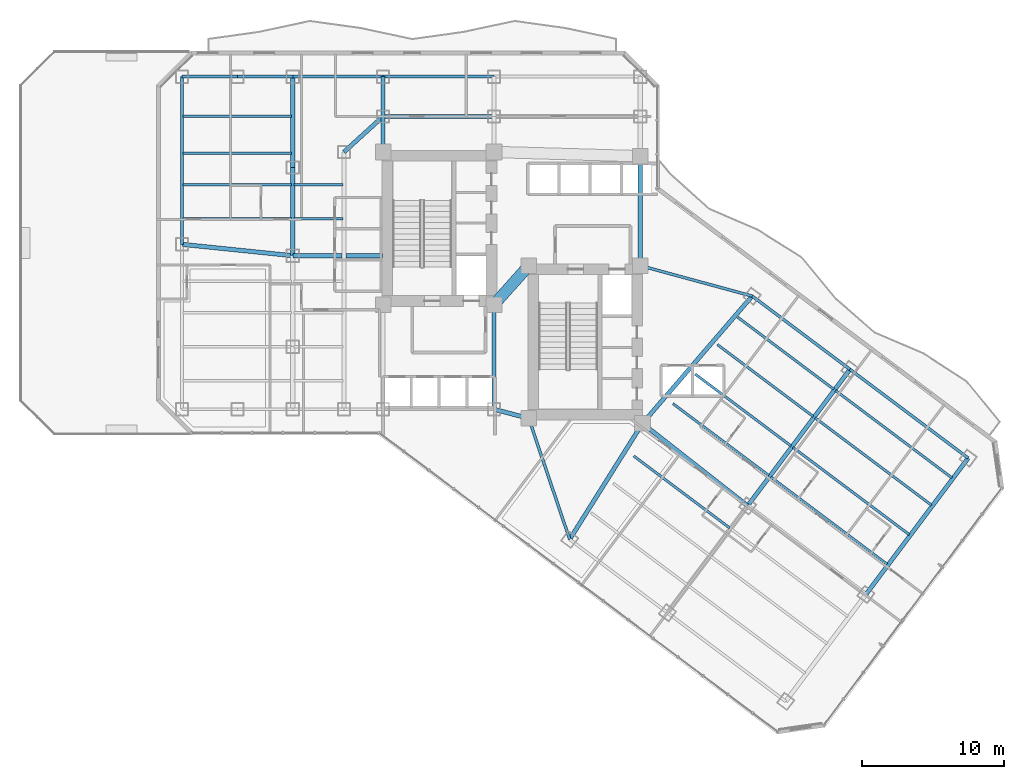
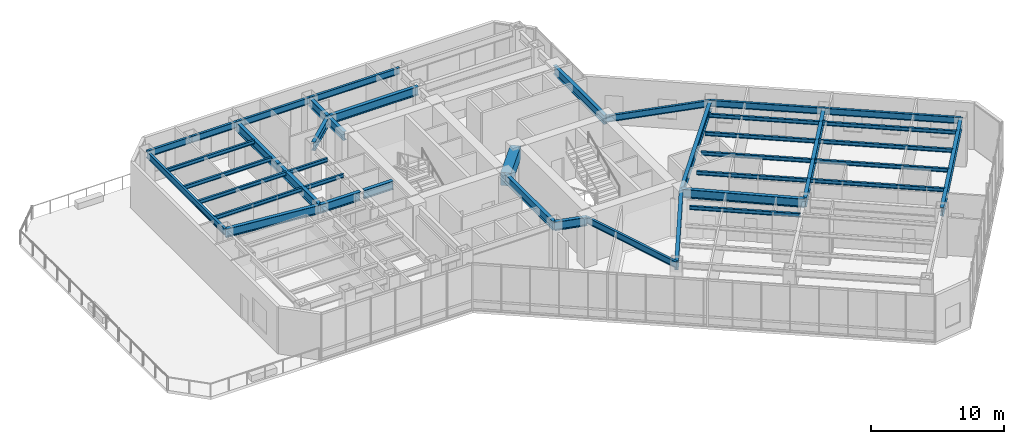
# One storey, part 11 of 27: 42 beams.
"""IFC4 building model written with IfcOpenShell, lengths in metres."""

from ifc_helpers import new_model, si_unit, direction, frame, origin, origin_2d, place, context, subcontext, project, spatial, rectangle, i_section, extrude, material, material_profile, profile_set, type_object, element, save


model = new_model("IFC4")

# Units and contexts
model_context = context("Model", 3, precision=1e-05, world=origin(), true_north=direction((0.0, 1.0)))
body_context = subcontext(model_context, "Body", "Model", "MODEL_VIEW")
ifc_project = project(units=[si_unit("LENGTHUNIT", "METRE"), si_unit("AREAUNIT", "SQUARE_METRE"), si_unit("VOLUMEUNIT", "CUBIC_METRE"), si_unit("PLANEANGLEUNIT", "RADIAN"), si_unit("MASSUNIT", "GRAM", prefix="KILO")], contexts=[model_context])

# Site, building, storey
site_placement = place(None, origin())
site = spatial("IfcSite", under=ifc_project, at=site_placement, CompositionType="ELEMENT")
building_placement = place(site_placement, origin())
building = spatial("IfcBuilding", under=site, at=building_placement, Name="Hatsunagi Terrace Concourse", CompositionType="ELEMENT")
storey_placement = place(building_placement, frame((0.0, 0.0, 70.10009765625)))
storey = spatial("IfcBuildingStorey", under=building, at=storey_placement, Name="L18", CompositionType="ELEMENT", Elevation=70.10009765625)

# Beams
ifc_material_1 = material(Name="Concrete Fc60", Category="concrete")
ifc_material_profile_1 = material_profile(ifc_material_1, rectangle(XDim=0.800048828125, YDim=1.199951171875, at=origin_2d()), Name="RC-800x1200")
ifc_profile_set_1 = profile_set([ifc_material_profile_1], Name="Concrete Fc60")
beam_type_1 = type_object("IfcBeamType", Name="CoreCouplingBeam_RC_800x1200", PredefinedType="BEAM", material=ifc_profile_set_1)
beam_1_placement = place(storey_placement, frame((33.35009765625, 32.550048828125, 3.679931640625), z_axis=(0.665198651008, 0.746666427997, 0.0), x_axis=(-0.746666427997, 0.665198651008, 0.0)))
element("IfcBeam", 1, at=beam_1_placement, inside=storey, type_object=beam_type_1, Name="Beam CB-01 CB-L18-1", PredefinedType="BEAM", context=body_context, shape_type="SweptSolid", body=[
    extrude(rectangle(XDim=0.800048828125, YDim=1.199951171875, at=origin_2d()), origin(), (0.0, 0.0, 1.0), 3.68310546875),
])
ifc_material_2 = material(Name="Steel SN490B", Category="steel")
ifc_material_profile_2 = material_profile(ifc_material_2, i_section(OverallWidth=0.175048828125, OverallDepth=0.35009765625, WebThickness=0.007080078125, FlangeThickness=0.010986328125, FilletRadius=0.012939453125, at=origin_2d()), Name="H-350x175x7x11")
ifc_profile_set_2 = profile_set([ifc_material_profile_2], Name="Steel SN490B")
beam_type_2 = type_object("IfcBeamType", Name="HotelJoist_H_350x175", PredefinedType="JOIST", material=ifc_profile_set_2)
beam_2_placement = place(storey_placement, frame((11.465087890625, 38.60009765625, 4.10498046875), z_axis=(1.0, 0.0, 0.0), x_axis=(0.0, 1.0, 0.0)))
element("IfcBeam", 2, at=beam_2_placement, inside=storey, type_object=beam_type_2, Name="Beam J-02 J-L18-W-11-386", PredefinedType="JOIST", context=body_context, shape_type="SweptSolid", body=[
    extrude(i_section(OverallWidth=0.175048828125, OverallDepth=0.35009765625, WebThickness=0.007080078125, FlangeThickness=0.010986328125, FilletRadius=0.012939453125, at=origin_2d()), origin(), (0.0, 0.0, 1.0), 7.64990234375),
])
beam_3_placement = place(storey_placement, frame((19.284912109375, 38.60009765625, 4.10498046875), z_axis=(1.0, 0.0, 0.0), x_axis=(0.0, 1.0, 0.0)))
element("IfcBeam", 3, at=beam_3_placement, inside=storey, type_object=beam_type_2, Name="Beam J-02 J-L18-W-19-386", PredefinedType="JOIST", context=body_context, shape_type="SweptSolid", body=[
    extrude(i_section(OverallWidth=0.175048828125, OverallDepth=0.35009765625, WebThickness=0.007080078125, FlangeThickness=0.010986328125, FilletRadius=0.012939453125, at=origin_2d()), origin(), (0.0, 0.0, 1.0), 3.43017578125),
])
beam_4_placement = place(storey_placement, frame((11.465087890625, 41.0, 4.10498046875), z_axis=(1.0, 0.0, 0.0), x_axis=(0.0, 1.0, 0.0)))
element("IfcBeam", 4, at=beam_4_placement, inside=storey, type_object=beam_type_2, Name="Beam J-02 J-L18-W-11-410", PredefinedType="JOIST", context=body_context, shape_type="SweptSolid", body=[
    extrude(i_section(OverallWidth=0.175048828125, OverallDepth=0.35009765625, WebThickness=0.007080078125, FlangeThickness=0.010986328125, FilletRadius=0.012939453125, at=origin_2d()), origin(), (0.0, 0.0, 1.0), 7.64990234375),
])
beam_5_placement = place(storey_placement, frame((19.284912109375, 41.0, 4.10498046875), z_axis=(1.0, 0.0, 0.0), x_axis=(0.0, 1.0, 0.0)))
element("IfcBeam", 5, at=beam_5_placement, inside=storey, type_object=beam_type_2, Name="Beam J-02 J-L18-W-19-410", PredefinedType="JOIST", context=body_context, shape_type="SweptSolid", body=[
    extrude(i_section(OverallWidth=0.175048828125, OverallDepth=0.35009765625, WebThickness=0.007080078125, FlangeThickness=0.010986328125, FilletRadius=0.012939453125, at=origin_2d()), origin(), (0.0, 0.0, 1.0), 3.43017578125),
])
for number, where, z_axis, x_axis, name in (
    (6, (11.465087890625, 43.199951171875, 4.10498046875), (1.0, 0.0, 0.0), (0.0, 1.0, 0.0), "Beam J-02 J-L18-W-11-432"),
    (7, (11.465087890625, 45.800048828125, 4.10498046875), (1.0, 0.0, 0.0), (0.0, 1.0, 0.0), "Beam J-02 J-L18-W-11-458"),
):
    element("IfcBeam", number, at=place(storey_placement, frame(where, z_axis=z_axis, x_axis=x_axis)), inside=storey, type_object=beam_type_2, Name=name, PredefinedType="JOIST", context=body_context, shape_type="SweptSolid", body=[
        extrude(i_section(OverallWidth=0.175048828125, OverallDepth=0.35009765625, WebThickness=0.007080078125, FlangeThickness=0.010986328125, FilletRadius=0.012939453125, at=origin_2d()), origin(), (0.0, 0.0, 1.0), 7.64990234375),
    ])
for number, where, z_axis, x_axis, name in (
    (8, (43.18798828125, 21.908935546875, 4.10498046875), (0.800003475366, -0.59999536615, 0.0), (0.59999536615, 0.800003475366, 0.0), "Beam J-02 J-L18-SE-2-96"),
    (9, (45.947998046875, 25.589111328125, 4.10498046875), (0.799989573921, -0.600013901187, 0.0), (0.600013901187, 0.799989573921, 0.0), "Beam J-02 J-L18-SE-2-142"),
    (10, (47.508056640625, 27.6689453125, 4.10498046875), (0.800003475366, -0.59999536615, 0.0), (0.59999536615, 0.800003475366, 0.0), "Beam J-02 J-L18-SE-2-168"),
    (11, (49.068115234375, 29.7490234375, 4.10498046875), (0.799989573921, -0.600013901187, 0.0), (0.600013901187, 0.799989573921, 0.0), "Beam J-02 J-L18-SE-2-194"),
    (12, (50.508056640625, 31.6689453125, 4.10498046875), (0.800003475366, -0.59999536615, 0.0), (0.59999536615, 0.800003475366, 0.0), "Beam J-02 J-L18-SE-2-218"),
):
    element("IfcBeam", number, at=place(storey_placement, frame(where, z_axis=z_axis, x_axis=x_axis)), inside=storey, type_object=beam_type_2, Name=name, PredefinedType="JOIST", context=body_context, shape_type="SweptSolid", body=[
        extrude(i_section(OverallWidth=0.175048828125, OverallDepth=0.35009765625, WebThickness=0.007080078125, FlangeThickness=0.010986328125, FilletRadius=0.012939453125, at=origin_2d()), origin(), (0.0, 0.0, 1.0), 8.429931640625),
    ])
for number, where, z_axis, x_axis, name in (
    (13, (52.827880859375, 20.428955078125, 4.10498046875), (0.800005727586, -0.599992363142, 0.0), (0.599992363142, 0.800005727586, 0.0), "Beam J-02 J-L18-SE-3-142"),
    (14, (54.387939453125, 22.509033203125, 4.10498046875), (0.800005727586, -0.599992363142, 0.0), (0.599992363142, 0.800005727586, 0.0), "Beam J-02 J-L18-SE-3-168"),
):
    element("IfcBeam", number, at=place(storey_placement, frame(where, z_axis=z_axis, x_axis=x_axis)), inside=storey, type_object=beam_type_2, Name=name, PredefinedType="JOIST", context=body_context, shape_type="SweptSolid", body=[
        extrude(i_section(OverallWidth=0.175048828125, OverallDepth=0.35009765625, WebThickness=0.007080078125, FlangeThickness=0.010986328125, FilletRadius=0.012939453125, at=origin_2d()), origin(), (0.0, 0.0, 1.0), 10.22998046875),
    ])
beam_6_placement = place(storey_placement, frame((55.947998046875, 24.589111328125, 4.10498046875), z_axis=(0.799994272423, -0.600007636694, 0.0), x_axis=(0.600007636694, 0.799994272423, 0.0)))
element("IfcBeam", 15, at=beam_6_placement, inside=storey, type_object=beam_type_2, Name="Beam J-02 J-L18-SE-3-194", PredefinedType="JOIST", context=body_context, shape_type="SweptSolid", body=[
    extrude(i_section(OverallWidth=0.175048828125, OverallDepth=0.35009765625, WebThickness=0.007080078125, FlangeThickness=0.010986328125, FilletRadius=0.012939453125, at=origin_2d()), origin(), (0.0, 0.0, 1.0), 10.230224609375),
])
beam_7_placement = place(storey_placement, frame((57.387939453125, 26.509033203125, 4.10498046875), z_axis=(0.800005727586, -0.599992363142, 0.0), x_axis=(0.599992363142, 0.800005727586, 0.0)))
element("IfcBeam", 16, at=beam_7_placement, inside=storey, type_object=beam_type_2, Name="Beam J-02 J-L18-SE-3-218", PredefinedType="JOIST", context=body_context, shape_type="SweptSolid", body=[
    extrude(i_section(OverallWidth=0.175048828125, OverallDepth=0.35009765625, WebThickness=0.007080078125, FlangeThickness=0.010986328125, FilletRadius=0.012939453125, at=origin_2d()), origin(), (0.0, 0.0, 1.0), 10.22998046875),
])
ifc_material_3 = material(Name="Steel SN490B", Category="steel")
ifc_material_profile_3 = material_profile(ifc_material_3, i_section(OverallWidth=0.199951171875, OverallDepth=0.60009765625, WebThickness=0.010986328125, FlangeThickness=0.01708984375, FilletRadius=0.01806640625, at=origin_2d()), Name="H-600x200x11x17")
ifc_profile_set_3 = profile_set([ifc_material_profile_3], Name="Steel SN490B")
beam_type_3 = type_object("IfcBeamType", Name="PerimeterSpandrel_H_600x200", PredefinedType="SPANDREL", material=ifc_profile_set_3)
beam_8_placement = place(storey_placement, frame((11.39990234375, 48.60009765625, 3.97998046875), z_axis=(1.0, 0.0, 0.0), x_axis=(0.0, 1.0, 0.0)))
element("IfcBeam", 17, at=beam_8_placement, inside=storey, type_object=beam_type_3, Name="Beam SP-01 BM-L18-WN-11", PredefinedType="SPANDREL", context=body_context, shape_type="SweptSolid", body=[
    extrude(i_section(OverallWidth=0.199951171875, OverallDepth=0.60009765625, WebThickness=0.010986328125, FlangeThickness=0.01708984375, FilletRadius=0.01806640625, at=origin_2d()), origin(), (0.0, 0.0, 1.0), 3.900146484375),
])
beam_9_placement = place(storey_placement, frame((15.300048828125, 48.60009765625, 3.97998046875), z_axis=(1.0, 0.0, 0.0), x_axis=(0.0, 1.0, 0.0)))
element("IfcBeam", 18, at=beam_9_placement, inside=storey, type_object=beam_type_3, Name="Beam SP-01 BM-L18-WN-15", PredefinedType="SPANDREL", context=body_context, shape_type="SweptSolid", body=[
    extrude(i_section(OverallWidth=0.199951171875, OverallDepth=0.60009765625, WebThickness=0.010986328125, FlangeThickness=0.01708984375, FilletRadius=0.01806640625, at=origin_2d()), origin(), (0.0, 0.0, 1.0), 3.89990234375),
])
beam_10_placement = place(storey_placement, frame((19.199951171875, 48.60009765625, 3.97998046875), z_axis=(1.0, 0.0, 0.0), x_axis=(0.0, 1.0, 0.0)))
element("IfcBeam", 19, at=beam_10_placement, inside=storey, type_object=beam_type_3, Name="Beam SP-01 BM-L18-WN-19", PredefinedType="SPANDREL", context=body_context, shape_type="SweptSolid", body=[
    extrude(i_section(OverallWidth=0.199951171875, OverallDepth=0.60009765625, WebThickness=0.010986328125, FlangeThickness=0.01708984375, FilletRadius=0.01806640625, at=origin_2d()), origin(), (0.0, 0.0, 1.0), 6.35009765625),
])
beam_11_placement = place(storey_placement, frame((25.550048828125, 48.60009765625, 3.97998046875), z_axis=(1.0, 0.0, 0.0), x_axis=(0.0, 1.0, 0.0)))
element("IfcBeam", 20, at=beam_11_placement, inside=storey, type_object=beam_type_3, Name="Beam SP-01 BM-L18-WN-25", PredefinedType="SPANDREL", context=body_context, shape_type="SweptSolid", body=[
    extrude(i_section(OverallWidth=0.199951171875, OverallDepth=0.60009765625, WebThickness=0.010986328125, FlangeThickness=0.01708984375, FilletRadius=0.01806640625, at=origin_2d()), origin(), (0.0, 0.0, 1.0), 7.800048828125),
])
beam_12_placement = place(storey_placement, frame((11.39990234375, 36.800048828125, 3.97998046875), z_axis=(0.0, 1.0, 0.0), x_axis=(-1.0, 0.0, 0.0)))
element("IfcBeam", 21, at=beam_12_placement, inside=storey, type_object=beam_type_3, Name="Beam SP-01 BM-L18-NS-11-36", PredefinedType="SPANDREL", context=body_context, shape_type="SweptSolid", body=[
    extrude(i_section(OverallWidth=0.199951171875, OverallDepth=0.60009765625, WebThickness=0.010986328125, FlangeThickness=0.01708984375, FilletRadius=0.01806640625, at=origin_2d()), origin(), (0.0, 0.0, 1.0), 11.800048828125),
])
beam_13_placement = place(storey_placement, frame((35.800048828125, 24.550048828125, 3.97998046875), z_axis=(0.320553412271, -0.947230441805, 0.0), x_axis=(0.947230441805, 0.320553412271, 0.0)))
element("IfcBeam", 22, at=beam_13_placement, inside=storey, type_object=beam_type_3, Name="Beam SP-01 BM-L18-SE-SW0", PredefinedType="SPANDREL", context=body_context, shape_type="SweptSolid", body=[
    extrude(i_section(OverallWidth=0.199951171875, OverallDepth=0.60009765625, WebThickness=0.010986328125, FlangeThickness=0.01708984375, FilletRadius=0.01806640625, at=origin_2d()), origin(), (0.0, 0.0, 1.0), 8.984130859375),
])
beam_14_placement = place(storey_placement, frame((43.64990234375, 35.300048828125, 3.97998046875), z_axis=(0.964958359286, -0.262403057994, 0.0), x_axis=(0.262403057994, 0.964958359286, 0.0)))
element("IfcBeam", 23, at=beam_14_placement, inside=storey, type_object=beam_type_3, Name="Beam SP-01 BM-L18-SE-NE0", PredefinedType="SPANDREL", context=body_context, shape_type="SweptSolid", body=[
    extrude(i_section(OverallWidth=0.199951171875, OverallDepth=0.60009765625, WebThickness=0.010986328125, FlangeThickness=0.01708984375, FilletRadius=0.01806640625, at=origin_2d()), origin(), (0.0, 0.0, 1.0), 8.156005859375),
])
beam_15_placement = place(storey_placement, frame((51.52001953125, 33.159912109375, 3.97998046875), z_axis=(0.8, -0.6, 0.0), x_axis=(0.6, 0.8, 0.0)))
element("IfcBeam", 24, at=beam_15_placement, inside=storey, type_object=beam_type_3, Name="Beam SP-01 BM-L18-SE-NE2", PredefinedType="SPANDREL", context=body_context, shape_type="SweptSolid", body=[
    extrude(i_section(OverallWidth=0.199951171875, OverallDepth=0.60009765625, WebThickness=0.010986328125, FlangeThickness=0.01708984375, FilletRadius=0.01806640625, at=origin_2d()), origin(), (0.0, 0.0, 1.0), 8.599853515625),
])
beam_16_placement = place(storey_placement, frame((58.39990234375, 28.0, 3.97998046875), z_axis=(0.800002816985, -0.599996244001, 0.0), x_axis=(0.599996244001, 0.800002816985, 0.0)))
element("IfcBeam", 25, at=beam_16_placement, inside=storey, type_object=beam_type_3, Name="Beam SP-01 BM-L18-SE-NE3", PredefinedType="SPANDREL", context=body_context, shape_type="SweptSolid", body=[
    extrude(i_section(OverallWidth=0.199951171875, OverallDepth=0.60009765625, WebThickness=0.010986328125, FlangeThickness=0.01708984375, FilletRadius=0.01806640625, at=origin_2d()), origin(), (0.0, 0.0, 1.0), 10.400146484375),
])
ifc_material_4 = material(Name="Steel SN490B", Category="steel")
ifc_material_profile_4 = material_profile(ifc_material_4, i_section(OverallWidth=0.300048828125, OverallDepth=0.800048828125, WebThickness=0.013916015625, FlangeThickness=0.02587890625, FilletRadius=0.02197265625, at=origin_2d()), Name="H-800x300x14x26")
ifc_profile_set_4 = profile_set([ifc_material_profile_4], Name="Steel SN490B")
beam_type_4 = type_object("IfcBeamType", Name="SkyLobbyGirder_H_800x300", PredefinedType="BEAM", material=ifc_profile_set_4)
beam_17_placement = place(storey_placement, frame((33.35009765625, 25.199951171875, 3.8798828125), z_axis=(0.0, 1.0, 0.0), x_axis=(-1.0, 0.0, 0.0)))
element("IfcBeam", 26, at=beam_17_placement, inside=storey, type_object=beam_type_4, Name="Beam G-03 BM-L18-K2CA", PredefinedType="BEAM", context=body_context, shape_type="SweptSolid", body=[
    extrude(i_section(OverallWidth=0.300048828125, OverallDepth=0.800048828125, WebThickness=0.013916015625, FlangeThickness=0.02587890625, FilletRadius=0.02197265625, at=origin_2d()), origin(), (0.0, 0.0, 1.0), 7.35009765625),
])
beam_18_placement = place(storey_placement, frame((33.35009765625, 25.199951171875, 3.8798828125), z_axis=(0.966569840116, -0.256403479262, 0.0), x_axis=(0.256403479262, 0.966569840116, 0.0)))
element("IfcBeam", 27, at=beam_18_placement, inside=storey, type_object=beam_type_4, Name="Beam G-03 BM-L18-K2CB", PredefinedType="BEAM", context=body_context, shape_type="SweptSolid", body=[
    extrude(i_section(OverallWidth=0.300048828125, OverallDepth=0.800048828125, WebThickness=0.013916015625, FlangeThickness=0.02587890625, FilletRadius=0.02197265625, at=origin_2d()), origin(), (0.0, 0.0, 1.0), 2.53466796875),
])
beam_19_placement = place(storey_placement, frame((43.64990234375, 35.300048828125, 3.8798828125), z_axis=(0.0, 1.0, 0.0), x_axis=(-1.0, 0.0, 0.0)))
element("IfcBeam", 28, at=beam_19_placement, inside=storey, type_object=beam_type_4, Name="Beam G-03 BM-L18-CBK3", PredefinedType="BEAM", context=body_context, shape_type="SweptSolid", body=[
    extrude(i_section(OverallWidth=0.300048828125, OverallDepth=0.800048828125, WebThickness=0.013916015625, FlangeThickness=0.02587890625, FilletRadius=0.02197265625, at=origin_2d()), origin(), (0.0, 0.0, 1.0), 7.699951171875),
])
beam_20_placement = place(storey_placement, frame((25.550048828125, 43.300048828125, 3.8798828125), z_axis=(0.0, 1.0, 0.0), x_axis=(-1.0, 0.0, 0.0)))
element("IfcBeam", 29, at=beam_20_placement, inside=storey, type_object=beam_type_4, Name="Beam G-03 BM-L18-CN1", PredefinedType="BEAM", context=body_context, shape_type="SweptSolid", body=[
    extrude(i_section(OverallWidth=0.300048828125, OverallDepth=0.800048828125, WebThickness=0.013916015625, FlangeThickness=0.02587890625, FilletRadius=0.02197265625, at=origin_2d()), origin(), (0.0, 0.0, 1.0), 2.5),
])
beam_21_placement = place(storey_placement, frame((25.550048828125, 45.800048828125, 3.8798828125), z_axis=(1.0, 0.0, 0.0), x_axis=(0.0, 1.0, 0.0)))
element("IfcBeam", 30, at=beam_21_placement, inside=storey, type_object=beam_type_4, Name="Beam G-03 BM-L18-CNEW1", PredefinedType="BEAM", context=body_context, shape_type="SweptSolid", body=[
    extrude(i_section(OverallWidth=0.300048828125, OverallDepth=0.800048828125, WebThickness=0.013916015625, FlangeThickness=0.02587890625, FilletRadius=0.02197265625, at=origin_2d()), origin(), (0.0, 0.0, 1.0), 7.800048828125),
])
beam_22_placement = place(storey_placement, frame((25.550048828125, 45.800048828125, 3.8798828125), z_axis=(0.0, 1.0, 0.0), x_axis=(-1.0, 0.0, 0.0)))
element("IfcBeam", 31, at=beam_22_placement, inside=storey, type_object=beam_type_4, Name="Beam G-03 BM-L18-KN-WN4", PredefinedType="BEAM", context=body_context, shape_type="SweptSolid", body=[
    extrude(i_section(OverallWidth=0.300048828125, OverallDepth=0.800048828125, WebThickness=0.013916015625, FlangeThickness=0.02587890625, FilletRadius=0.02197265625, at=origin_2d()), origin(), (0.0, 0.0, 1.0), 2.800048828125),
])
beam_23_placement = place(storey_placement, frame((22.800048828125, 43.300048828125, 3.8798828125), z_axis=(0.739940073396, 0.672672793996, 0.0), x_axis=(-0.672672793996, 0.739940073396, 0.0)))
element("IfcBeam", 32, at=beam_23_placement, inside=storey, type_object=beam_type_4, Name="Beam G-03 BM-L18-CWEW-N", PredefinedType="BEAM", context=body_context, shape_type="SweptSolid", body=[
    extrude(i_section(OverallWidth=0.300048828125, OverallDepth=0.800048828125, WebThickness=0.013916015625, FlangeThickness=0.02587890625, FilletRadius=0.02197265625, at=origin_2d()), origin(), (0.0, 0.0, 1.0), 3.716552734375),
])
beam_24_placement = place(storey_placement, frame((19.199951171875, 36.0, 3.8798828125), z_axis=(0.0, 1.0, 0.0), x_axis=(-1.0, 0.0, 0.0)))
element("IfcBeam", 33, at=beam_24_placement, inside=storey, type_object=beam_type_4, Name="Beam G-03 BM-L18-NS-19-36", PredefinedType="BEAM", context=body_context, shape_type="SweptSolid", body=[
    extrude(i_section(OverallWidth=0.300048828125, OverallDepth=0.800048828125, WebThickness=0.013916015625, FlangeThickness=0.02587890625, FilletRadius=0.02197265625, at=origin_2d()), origin(), (0.0, 0.0, 1.0), 6.199951171875),
])
beam_25_placement = place(storey_placement, frame((19.199951171875, 42.199951171875, 3.8798828125), z_axis=(0.0, 1.0, 0.0), x_axis=(-1.0, 0.0, 0.0)))
element("IfcBeam", 34, at=beam_25_placement, inside=storey, type_object=beam_type_4, Name="Beam G-03 BM-L18-NS-19-42", PredefinedType="BEAM", context=body_context, shape_type="SweptSolid", body=[
    extrude(i_section(OverallWidth=0.300048828125, OverallDepth=0.800048828125, WebThickness=0.013916015625, FlangeThickness=0.02587890625, FilletRadius=0.02197265625, at=origin_2d()), origin(), (0.0, 0.0, 1.0), 6.400146484375),
])
beam_26_placement = place(storey_placement, frame((11.39990234375, 36.800048828125, 3.8798828125), z_axis=(0.994780871372, -0.102034395927, 0.0), x_axis=(0.102034395927, 0.994780871372, 0.0)))
element("IfcBeam", 35, at=beam_26_placement, inside=storey, type_object=beam_type_4, Name="Beam G-03 BM-L18-EW-2", PredefinedType="BEAM", context=body_context, shape_type="SweptSolid", body=[
    extrude(i_section(OverallWidth=0.300048828125, OverallDepth=0.800048828125, WebThickness=0.013916015625, FlangeThickness=0.02587890625, FilletRadius=0.02197265625, at=origin_2d()), origin(), (0.0, 0.0, 1.0), 7.841064453125),
])
beam_27_placement = place(storey_placement, frame((19.199951171875, 36.0, 3.8798828125), z_axis=(1.0, 0.0, 0.0), x_axis=(0.0, 1.0, 0.0)))
element("IfcBeam", 36, at=beam_27_placement, inside=storey, type_object=beam_type_4, Name="Beam G-03 BM-L18-EW-3", PredefinedType="BEAM", context=body_context, shape_type="SweptSolid", body=[
    extrude(i_section(OverallWidth=0.300048828125, OverallDepth=0.800048828125, WebThickness=0.013916015625, FlangeThickness=0.02587890625, FilletRadius=0.02197265625, at=origin_2d()), origin(), (0.0, 0.0, 1.0), 3.449951171875),
])
beam_28_placement = place(storey_placement, frame((22.949951171875, 36.0, 3.8798828125), z_axis=(1.0, 0.0, 0.0), x_axis=(0.0, 1.0, 0.0)))
element("IfcBeam", 37, at=beam_28_placement, inside=storey, type_object=beam_type_4, Name="Beam G-03 BM-L18-EW-4", PredefinedType="BEAM", context=body_context, shape_type="SweptSolid", body=[
    extrude(i_section(OverallWidth=0.300048828125, OverallDepth=0.800048828125, WebThickness=0.013916015625, FlangeThickness=0.02587890625, FilletRadius=0.02197265625, at=origin_2d()), origin(), (0.0, 0.0, 1.0), 2.56005859375),
])
beam_29_placement = place(storey_placement, frame((38.679931640625, 16.0400390625, 3.8798828125), z_axis=(0.531503907049, 0.847055840421, 0.0), x_axis=(-0.847055840421, 0.531503907049, 0.0)))
element("IfcBeam", 38, at=beam_29_placement, inside=storey, type_object=beam_type_4, Name="Beam G-03 BM-L18-SET-1A", PredefinedType="BEAM", context=body_context, shape_type="SweptSolid", body=[
    extrude(i_section(OverallWidth=0.300048828125, OverallDepth=0.800048828125, WebThickness=0.013916015625, FlangeThickness=0.02587890625, FilletRadius=0.02197265625, at=origin_2d()), origin(), (0.0, 0.0, 1.0), 9.63330078125),
])
beam_30_placement = place(storey_placement, frame((43.800048828125, 24.199951171875, 3.8798828125), z_axis=(0.652739101421, 0.757582777969, 0.0), x_axis=(-0.757582777969, 0.652739101421, 0.0)))
element("IfcBeam", 39, at=beam_30_placement, inside=storey, type_object=beam_type_4, Name="Beam G-03 BM-L18-SET-1B", PredefinedType="BEAM", context=body_context, shape_type="SweptSolid", body=[
    extrude(i_section(OverallWidth=0.300048828125, OverallDepth=0.800048828125, WebThickness=0.013916015625, FlangeThickness=0.02587890625, FilletRadius=0.02197265625, at=origin_2d()), origin(), (0.0, 0.0, 1.0), 11.8271484375),
])
beam_31_placement = place(storey_placement, frame((43.800048828125, 24.199951171875, 3.8798828125), z_axis=(0.787049441068, -0.616889923175, 0.0), x_axis=(0.616889923175, 0.787049441068, 0.0)))
element("IfcBeam", 40, at=beam_31_placement, inside=storey, type_object=beam_type_4, Name="Beam G-03 BM-L18-SE-M2", PredefinedType="BEAM", context=body_context, shape_type="SweptSolid", body=[
    extrude(i_section(OverallWidth=0.300048828125, OverallDepth=0.800048828125, WebThickness=0.013916015625, FlangeThickness=0.02587890625, FilletRadius=0.02197265625, at=origin_2d()), origin(), (0.0, 0.0, 1.0), 9.402099609375),
])
for number, where, z_axis, x_axis, name in (
    (41, (51.199951171875, 18.39990234375, 3.8798828125), (0.59999348959, 0.800004882766, 0.0), (-0.800004882766, 0.59999348959, 0.0), "Beam G-03 BM-L18-SET-2B"),
    (42, (59.52001953125, 12.159912109375, 3.8798828125), (0.59999348959, 0.800004882766, 0.0), (-0.800004882766, 0.59999348959, 0.0), "Beam G-03 BM-L18-SET-3B"),
):
    element("IfcBeam", number, at=place(storey_placement, frame(where, z_axis=z_axis, x_axis=x_axis)), inside=storey, type_object=beam_type_4, Name=name, PredefinedType="BEAM", context=body_context, shape_type="SweptSolid", body=[
        extrude(i_section(OverallWidth=0.300048828125, OverallDepth=0.800048828125, WebThickness=0.013916015625, FlangeThickness=0.02587890625, FilletRadius=0.02197265625, at=origin_2d()), origin(), (0.0, 0.0, 1.0), 12.0),
    ])

save(model, "model.ifc")
